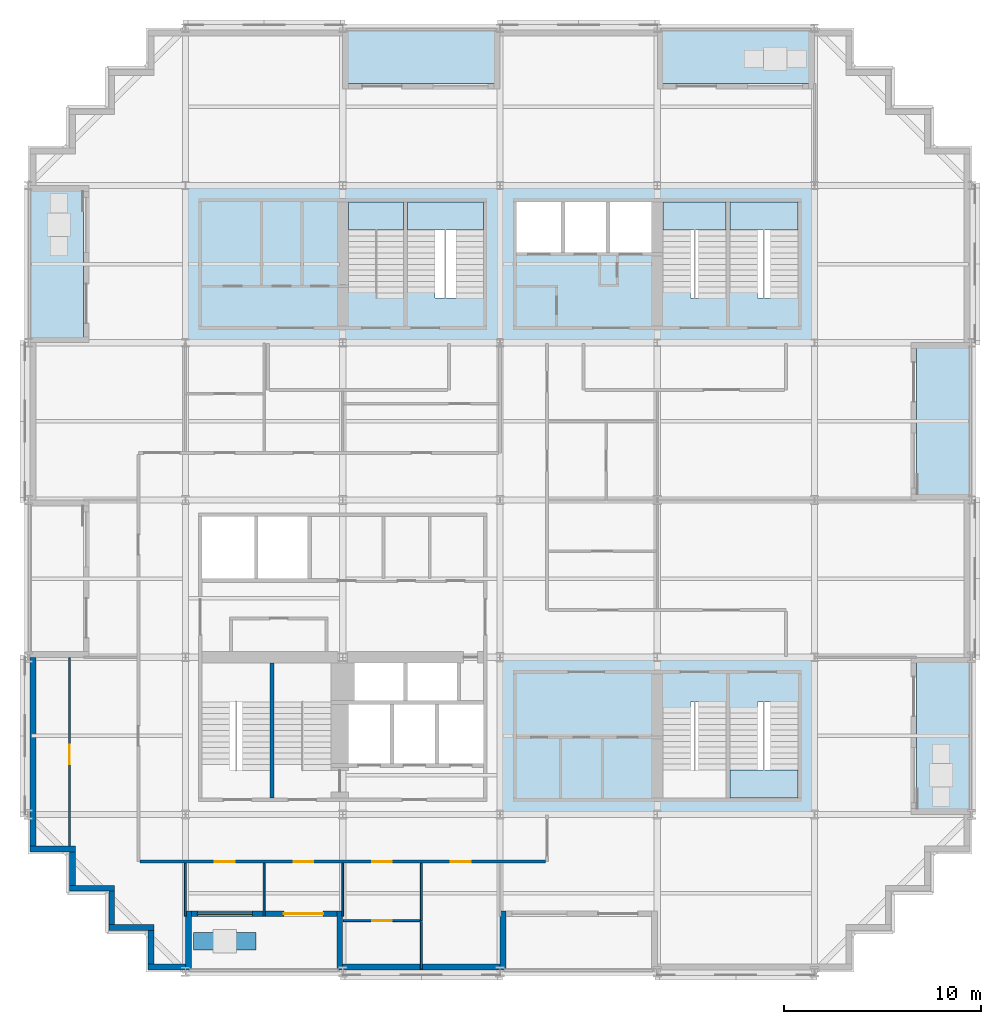
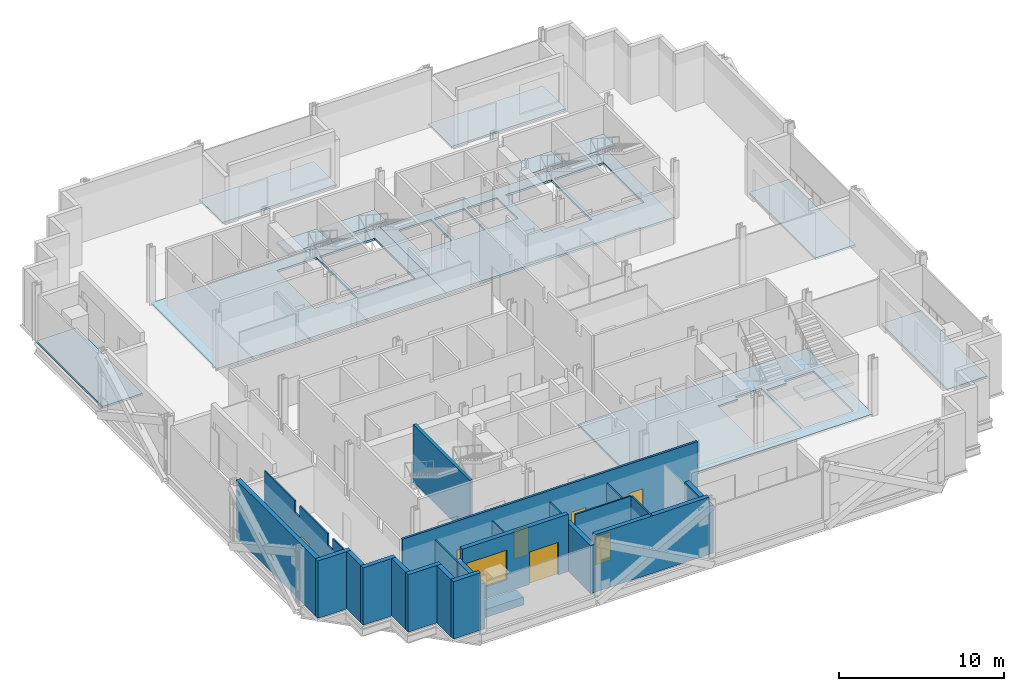
# One storey, part 4 of 13: 23 walls, 13 slabs, 7 doors, 1 window, 8 openings, 5 elements without a shape of their own.
"""IFC4 building model written with IfcOpenShell, lengths in metres."""

from ifc_helpers import new_model, si_unit, direction, frame, frame_2d, origin, place, context, subcontext, project, spatial, polyline, rectangle, outline, extrude, material, layer, layer_set, type_object, element, fill, aggregate, save


model = new_model("IFC4")

# Units and contexts
model_context = context("Model", 3, precision=1e-05, world=origin(), true_north=direction((0.0, 1.0)))
body_context = subcontext(model_context, "Body", "Model", "MODEL_VIEW")
ifc_project = project(units=[si_unit("LENGTHUNIT", "METRE"), si_unit("AREAUNIT", "SQUARE_METRE"), si_unit("VOLUMEUNIT", "CUBIC_METRE"), si_unit("PLANEANGLEUNIT", "RADIAN"), si_unit("MASSUNIT", "GRAM", prefix="KILO")], contexts=[model_context])

# Site, building, storey
site_placement = place(None, origin())
site = spatial("IfcSite", under=ifc_project, at=site_placement, CompositionType="ELEMENT")
building_placement = place(site_placement, origin())
building = spatial("IfcBuilding", under=site, at=building_placement, Name="Immortelle Media Tower", CompositionType="ELEMENT")
storey_placement = place(building_placement, frame((0.0, 0.0, 34.800048828125)))
storey = spatial("IfcBuildingStorey", under=building, at=storey_placement, Name="L04", CompositionType="ELEMENT", Elevation=34.800048828125)

# Slabs
ifc_material_1 = material(Name="Concrete C50/60 composite deck", Category="concrete")
ifc_layer_1 = layer(ifc_material_1, 0.14990234375)
ifc_layer_set_1 = layer_set([ifc_layer_1], Name="Concrete C50/60 composite deck")
slab_type_1 = type_object("IfcSlabType", Name="Balcony slab 150", PredefinedType="FLOOR", material=ifc_layer_set_1)
slab_1_placement = place(storey_placement, frame((0.0, 0.0, -0.150146484375)))
element("IfcSlab", 1, at=slab_1_placement, inside=storey, type_object=slab_type_1, Name="Balcony slab L04 W0", PredefinedType="FLOOR", context=body_context, shape_type="SweptSolid", body=[
    extrude(outline(polyline([(2.800048828125, 32.0), (2.800048828125, 40.0), (0.0, 40.0), (0.0, 32.0), (2.800048828125, 32.0)])), origin(), (0.0, 0.0, 1.0), 0.150146484375),
])
slab_2_placement = place(storey_placement, frame((0.0, 0.0, -0.150146484375)))
element("IfcSlab", 2, at=slab_2_placement, inside=storey, type_object=slab_type_1, Name="Balcony slab L04 E0", PredefinedType="FLOOR", context=body_context, shape_type="SweptSolid", body=[
    extrude(outline(polyline([(48.0, 8.0), (48.0, 16.0), (45.199951171875, 16.0), (45.199951171875, 8.0), (48.0, 8.0)])), origin(), (0.0, 0.0, 1.0), 0.150146484375),
])
slab_3_placement = place(storey_placement, frame((0.0, 0.0, -0.150146484375)))
element("IfcSlab", 3, at=slab_3_placement, inside=storey, type_object=slab_type_1, Name="Balcony slab L04 E2", PredefinedType="FLOOR", context=body_context, shape_type="SweptSolid", body=[
    extrude(outline(polyline([(48.0, 24.0), (48.0, 32.0), (45.199951171875, 32.0), (45.199951171875, 24.0), (48.0, 24.0)])), origin(), (0.0, 0.0, 1.0), 0.150146484375),
])
slab_4_placement = place(storey_placement, frame((0.0, 0.0, -0.150146484375)))
element("IfcSlab", 4, at=slab_4_placement, inside=storey, type_object=slab_type_1, Name="Balcony slab L04 N0", PredefinedType="FLOOR", context=body_context, shape_type="SweptSolid", body=[
    extrude(outline(polyline([(40.0, 45.199951171875), (40.0, 48.0), (32.0, 48.0), (32.0, 45.199951171875), (40.0, 45.199951171875)])), origin(), (0.0, 0.0, 1.0), 0.150146484375),
])
slab_5_placement = place(storey_placement, frame((0.0, 0.0, -0.150146484375)))
element("IfcSlab", 5, at=slab_5_placement, inside=storey, type_object=slab_type_1, Name="Balcony slab L04 N2", PredefinedType="FLOOR", context=body_context, shape_type="SweptSolid", body=[
    extrude(outline(polyline([(24.0, 45.199951171875), (24.0, 48.0), (16.0, 48.0), (16.0, 45.199951171875), (24.0, 45.199951171875)])), origin(), (0.0, 0.0, 1.0), 0.150146484375),
])
ifc_material_2 = material(Name="Concrete C50/60", Category="concrete")
ifc_layer_2 = layer(ifc_material_2, 0.14990234375)
ifc_layer_set_2 = layer_set([ifc_layer_2], Name="Concrete C50/60")
slab_type_2 = type_object("IfcSlabType", Name="Core floor slab 150", PredefinedType="FLOOR", material=ifc_layer_set_2)
slab_6_placement = place(storey_placement, frame((0.0, 0.0, -0.150146484375)))
element("IfcSlab", 6, at=slab_6_placement, inside=storey, type_object=slab_type_2, Name="Core floor SE", PredefinedType="FLOOR", context=body_context, shape_type="SweptSolid", body=[
    extrude(outline(polyline([(24.0, 8.0), (40.0, 8.0), (40.0, 16.0), (24.0, 16.0), (24.0, 8.0)]), holes=[polyline([(35.5, 13.72998046875), (35.5, 8.85009765625), (32.300048828125, 8.85009765625), (32.300048828125, 13.43994140625), (33.699951171875, 13.43994140625), (33.699951171875, 13.72998046875), (35.5, 13.72998046875)]), polyline([(39.14990234375, 13.72998046875), (39.14990234375, 8.85009765625), (35.699951171875, 8.85009765625), (35.699951171875, 13.43994140625), (37.10009765625, 13.43994140625), (37.10009765625, 13.72998046875), (39.14990234375, 13.72998046875)])]), origin(), (0.0, 0.0, 1.0), 0.150146484375),
])
slab_7_placement = place(storey_placement, frame((0.0, 0.0, -0.150146484375)))
element("IfcSlab", 7, at=slab_7_placement, inside=storey, type_object=slab_type_2, Name="Core floor NW", PredefinedType="FLOOR", context=body_context, shape_type="SweptSolid", body=[
    extrude(outline(polyline([(8.0, 32.0), (24.0, 32.0), (24.0, 40.0), (8.0, 40.0), (8.0, 32.0)]), holes=[polyline([(16.300048828125, 39.14990234375), (19.10009765625, 39.14990234375), (19.10009765625, 34.27001953125), (17.699951171875, 34.27001953125), (17.699951171875, 34.56005859375), (16.300048828125, 34.56005859375), (16.300048828125, 39.14990234375)]), polyline([(19.300048828125, 39.14990234375), (23.14990234375, 39.14990234375), (23.14990234375, 34.27001953125), (20.699951171875, 34.27001953125), (20.699951171875, 34.56005859375), (19.300048828125, 34.56005859375), (19.300048828125, 39.14990234375)])]), origin(), (0.0, 0.0, 1.0), 0.150146484375),
])
slab_8_placement = place(storey_placement, frame((0.0, 0.0, -0.150146484375)))
element("IfcSlab", 8, at=slab_8_placement, inside=storey, type_object=slab_type_2, Name="Core floor NE", PredefinedType="FLOOR", context=body_context, shape_type="SweptSolid", body=[
    extrude(outline(polyline([(24.0, 32.0), (40.0, 32.0), (40.0, 40.0), (24.0, 40.0), (24.0, 32.0)]), holes=[polyline([(24.85009765625, 36.60009765625), (27.10009765625, 36.60009765625), (27.10009765625, 39.14990234375), (24.85009765625, 39.14990234375), (24.85009765625, 36.60009765625)]), polyline([(27.300048828125, 36.60009765625), (29.39990234375, 36.60009765625), (29.39990234375, 39.14990234375), (27.300048828125, 39.14990234375), (27.300048828125, 36.60009765625)]), polyline([(29.60009765625, 36.60009765625), (31.699951171875, 36.60009765625), (31.699951171875, 39.14990234375), (29.60009765625, 39.14990234375), (29.60009765625, 36.60009765625)]), polyline([(32.300048828125, 39.14990234375), (35.5, 39.14990234375), (35.5, 34.27001953125), (33.699951171875, 34.27001953125), (33.699951171875, 34.56005859375), (32.300048828125, 34.56005859375), (32.300048828125, 39.14990234375)]), polyline([(35.699951171875, 39.14990234375), (39.14990234375, 39.14990234375), (39.14990234375, 34.27001953125), (37.10009765625, 34.27001953125), (37.10009765625, 34.56005859375), (35.699951171875, 34.56005859375), (35.699951171875, 39.14990234375)])]), origin(), (0.0, 0.0, 1.0), 0.150146484375),
])

# Stair, slab
ifc_material_3 = material(Name="Steel ASTM A992 Gr 50", Category="steel")
stair_type = type_object("IfcStairType", Name="Stair with flights", PredefinedType="DOUBLE_RETURN_STAIR", material=ifc_material_3)
stair_1_placement = place(storey_placement, origin())
stair_1 = element("IfcStair", 9, at=stair_1_placement, inside=storey, type_object=stair_type, Name="Exit stair SE2", PredefinedType="DOUBLE_RETURN_STAIR")
ifc_material_4 = material(Name="Steel ASTM A572 Gr 50", Category="steel")
ifc_layer_3 = layer(ifc_material_4, 0.199951171875)
ifc_layer_set_3 = layer_set([ifc_layer_3], Name="Steel ASTM A572 Gr 50")
slab_type_3 = type_object("IfcSlabType", Name="Stair landing 200", PredefinedType="LANDING", material=ifc_layer_set_3)
slab_9_placement = place(storey_placement, frame((0.0, 0.0, 1.911865234375)))
slab_9 = element("IfcSlab", 10, at=slab_9_placement, type_object=slab_type_3, Name="ST SE2 landing 1", PredefinedType="LANDING", context=body_context, shape_type="SweptSolid", body=[
    extrude(outline(polyline([(35.699951171875, 8.85009765625), (39.14990234375, 8.85009765625), (39.14990234375, 10.27001953125), (35.699951171875, 10.27001953125), (35.699951171875, 8.85009765625)])), origin(), (0.0, 0.0, 1.0), 0.2001953125),
])
aggregate(stair_1, [slab_9])

stair_2_placement = place(storey_placement, origin())
stair_2 = element("IfcStair", 11, at=stair_2_placement, inside=storey, type_object=stair_type, Name="Exit stair NW1", PredefinedType="DOUBLE_RETURN_STAIR")
slab_10_placement = place(storey_placement, frame((0.0, 0.0, 1.911865234375)))
slab_10 = element("IfcSlab", 12, at=slab_10_placement, type_object=slab_type_3, Name="ST NW1 landing 1", PredefinedType="LANDING", context=body_context, shape_type="SweptSolid", body=[
    extrude(outline(polyline([(16.300048828125, 37.72998046875), (19.10009765625, 37.72998046875), (19.10009765625, 39.14990234375), (16.300048828125, 39.14990234375), (16.300048828125, 37.72998046875)])), origin(), (0.0, 0.0, 1.0), 0.2001953125),
])
aggregate(stair_2, [slab_10])

stair_3_placement = place(storey_placement, origin())
stair_3 = element("IfcStair", 13, at=stair_3_placement, inside=storey, type_object=stair_type, Name="Exit stair NW2", PredefinedType="DOUBLE_RETURN_STAIR")
slab_11_placement = place(storey_placement, frame((0.0, 0.0, 1.911865234375)))
slab_11 = element("IfcSlab", 14, at=slab_11_placement, type_object=slab_type_3, Name="ST NW2 landing 1", PredefinedType="LANDING", context=body_context, shape_type="SweptSolid", body=[
    extrude(outline(polyline([(19.300048828125, 37.72998046875), (23.14990234375, 37.72998046875), (23.14990234375, 39.14990234375), (19.300048828125, 39.14990234375), (19.300048828125, 37.72998046875)])), origin(), (0.0, 0.0, 1.0), 0.2001953125),
])
aggregate(stair_3, [slab_11])

stair_4_placement = place(storey_placement, origin())
stair_4 = element("IfcStair", 15, at=stair_4_placement, inside=storey, type_object=stair_type, Name="Exit stair NE1", PredefinedType="DOUBLE_RETURN_STAIR")
slab_12_placement = place(storey_placement, frame((0.0, 0.0, 1.911865234375)))
slab_12 = element("IfcSlab", 16, at=slab_12_placement, type_object=slab_type_3, Name="ST NE1 landing 1", PredefinedType="LANDING", context=body_context, shape_type="SweptSolid", body=[
    extrude(outline(polyline([(32.300048828125, 37.72998046875), (35.5, 37.72998046875), (35.5, 39.14990234375), (32.300048828125, 39.14990234375), (32.300048828125, 37.72998046875)])), origin(), (0.0, 0.0, 1.0), 0.2001953125),
])
aggregate(stair_4, [slab_12])

stair_5_placement = place(storey_placement, origin())
stair_5 = element("IfcStair", 17, at=stair_5_placement, inside=storey, type_object=stair_type, Name="Exit stair NE2", PredefinedType="DOUBLE_RETURN_STAIR")
slab_13_placement = place(storey_placement, frame((0.0, 0.0, 1.911865234375)))
slab_13 = element("IfcSlab", 18, at=slab_13_placement, type_object=slab_type_3, Name="ST NE2 landing 1", PredefinedType="LANDING", context=body_context, shape_type="SweptSolid", body=[
    extrude(outline(polyline([(35.699951171875, 37.72998046875), (39.14990234375, 37.72998046875), (39.14990234375, 39.14990234375), (35.699951171875, 39.14990234375), (35.699951171875, 37.72998046875)])), origin(), (0.0, 0.0, 1.0), 0.2001953125),
])
aggregate(stair_5, [slab_13])

# Wall, openings, doors
ifc_material_5 = material(Name="Fire-rated gypsum board", Category="gypsum")
ifc_layer_4 = layer(ifc_material_5, 0.012451171875)
ifc_material_6 = material(Name="Steel ASTM A653 SS Gr 50 stud frame with mineral wool", Category="steel")
ifc_layer_5 = layer(ifc_material_6, 0.125)
ifc_layer_6 = layer(ifc_material_5, 0.012451171875)
ifc_layer_set_4 = layer_set([ifc_layer_4, ifc_layer_5, ifc_layer_6], Name="Steel ASTM A653 SS Gr 50 stud frame with mineral wool")
wall_type_1 = type_object("IfcWallType", Name="Corridor wall 150", PredefinedType="PARTITIONING", material=ifc_layer_set_4)
wall_1_placement = place(storey_placement, frame((5.675048828125, 5.60009765625, 0.0), z_axis=(0.0, 0.0, 1.0), x_axis=(1.0, 0.0, 0.0)))
wall_1 = element("IfcWall", 19, at=wall_1_placement, inside=storey, type_object=wall_type_1, Name="Partition L04-008", PredefinedType="PARTITIONING", context=body_context, shape_type="SweptSolid", body=[
    extrude(rectangle(XDim=20.64990234375, YDim=0.14990234375, at=frame_2d((10.324951171875, 0.0))), origin(), (0.0, 0.0, 1.0), 4.25),
])
opening_1_placement = place(wall_1_placement, frame((12.824951171875, 0.0, 0.0), z_axis=(0.0, 0.0, 1.0), x_axis=(-1.0, 0.0, 0.0)))
opening_1 = element("IfcOpeningElement", 20, at=opening_1_placement, cuts=wall_1, Name="Opening N1-F001", PredefinedType="OPENING", context=body_context, shape_type="SweptSolid", body=[
    extrude(rectangle(XDim=1.0, YDim=2.10009765625, at=frame_2d((0.5, 1.050048828125))), frame((0.0, 0.0849609375, 0.0), z_axis=(0.0, -1.0, 0.0), x_axis=(1.0, 0.0, 0.0)), (0.0, 0.0, 1.0), 0.169921875),
])
opening_2_placement = place(wall_1_placement, frame((16.824951171875, 0.0, 0.0), z_axis=(0.0, 0.0, 1.0), x_axis=(-1.0, 0.0, 0.0)))
opening_2 = element("IfcOpeningElement", 21, at=opening_2_placement, cuts=wall_1, Name="Opening N1-F003", PredefinedType="OPENING", context=body_context, shape_type="SweptSolid", body=[
    extrude(rectangle(XDim=1.0, YDim=2.10009765625, at=frame_2d((0.5, 1.050048828125))), frame((0.0, 0.0849609375, 0.0), z_axis=(0.0, -1.0, 0.0), x_axis=(1.0, 0.0, 0.0)), (0.0, 0.0, 1.0), 0.169921875),
])
opening_3_placement = place(wall_1_placement, frame((4.824951171875, 0.0, 0.0), z_axis=(0.0, 0.0, 1.0), x_axis=(-1.0, 0.0, 0.0)))
opening_3 = element("IfcOpeningElement", 22, at=opening_3_placement, cuts=wall_1, Name="Opening N1-F004", PredefinedType="OPENING", context=body_context, shape_type="SweptSolid", body=[
    extrude(rectangle(XDim=1.0, YDim=2.10009765625, at=frame_2d((0.5, 1.050048828125))), frame((0.0, 0.0849609375, 0.0), z_axis=(0.0, -1.0, 0.0), x_axis=(1.0, 0.0, 0.0)), (0.0, 0.0, 1.0), 0.169921875),
])
opening_4_placement = place(wall_1_placement, frame((8.824951171875, 0.0, 0.0), z_axis=(0.0, 0.0, 1.0), x_axis=(-1.0, 0.0, 0.0)))
opening_4 = element("IfcOpeningElement", 23, at=opening_4_placement, cuts=wall_1, Name="Opening N1-F005", PredefinedType="OPENING", context=body_context, shape_type="SweptSolid", body=[
    extrude(rectangle(XDim=1.0, YDim=2.10009765625, at=frame_2d((0.5, 1.050048828125))), frame((0.0, 0.0849609375, 0.0), z_axis=(0.0, -1.0, 0.0), x_axis=(1.0, 0.0, 0.0)), (0.0, 0.0, 1.0), 0.169921875),
])
ifc_material_7 = material(Name="Timber veneered door leaf, galvanised steel frame ASTM A653", Category="steel")
door_type_1 = type_object("IfcDoorType", Name="Room door 1000 x 2100", OperationType="NOTDEFINED", PredefinedType="DOOR", material=ifc_material_7)
door_1_placement = place(opening_1_placement, origin())
door_1 = element("IfcDoor", 24, at=door_1_placement, inside=storey, type_object=door_type_1, Name="Door N1-F001", OperationType="SINGLE_SWING_LEFT", OverallHeight=2.10009765625, OverallWidth=1.0, PredefinedType="DOOR", context=body_context, shape_type="SweptSolid", body=[
    extrude(rectangle(XDim=1.0, YDim=2.10009765625, at=frame_2d((0.5, 1.050048828125))), frame((0.0, 0.02490234375, 0.0), z_axis=(0.0, -1.0, 0.0), x_axis=(1.0, 0.0, 0.0)), (0.0, 0.0, 1.0), 0.050048828125),
])
fill(opening_1, door_1)
door_2_placement = place(opening_2_placement, origin())
door_2 = element("IfcDoor", 25, at=door_2_placement, inside=storey, type_object=door_type_1, Name="Door N1-F003", OperationType="SINGLE_SWING_RIGHT", OverallHeight=2.10009765625, OverallWidth=1.0, PredefinedType="DOOR", context=body_context, shape_type="SweptSolid", body=[
    extrude(rectangle(XDim=1.0, YDim=2.10009765625, at=frame_2d((0.5, 1.050048828125))), frame((0.0, 0.02490234375, 0.0), z_axis=(0.0, -1.0, 0.0), x_axis=(1.0, 0.0, 0.0)), (0.0, 0.0, 1.0), 0.050048828125),
])
fill(opening_2, door_2)
door_3_placement = place(opening_3_placement, origin())
door_3 = element("IfcDoor", 26, at=door_3_placement, inside=storey, type_object=door_type_1, Name="Door N1-F004", OperationType="SINGLE_SWING_RIGHT", OverallHeight=2.10009765625, OverallWidth=1.0, PredefinedType="DOOR", context=body_context, shape_type="SweptSolid", body=[
    extrude(rectangle(XDim=1.0, YDim=2.10009765625, at=frame_2d((0.5, 1.050048828125))), frame((0.0, 0.02490234375, 0.0), z_axis=(0.0, -1.0, 0.0), x_axis=(1.0, 0.0, 0.0)), (0.0, 0.0, 1.0), 0.050048828125),
])
fill(opening_3, door_3)
door_4_placement = place(opening_4_placement, origin())
door_4 = element("IfcDoor", 27, at=door_4_placement, inside=storey, type_object=door_type_1, Name="Door N1-F005", OperationType="SINGLE_SWING_LEFT", OverallHeight=2.10009765625, OverallWidth=1.0, PredefinedType="DOOR", context=body_context, shape_type="SweptSolid", body=[
    extrude(rectangle(XDim=1.0, YDim=2.10009765625, at=frame_2d((0.5, 1.050048828125))), frame((0.0, 0.02490234375, 0.0), z_axis=(0.0, -1.0, 0.0), x_axis=(1.0, 0.0, 0.0)), (0.0, 0.0, 1.0), 0.050048828125),
])
fill(opening_4, door_4)

# Walls
ifc_material_8 = material(Name="Pale aluminium cladding panel", Category="aluminium")
ifc_layer_7 = layer(ifc_material_8, 0.030029296875)
ifc_layer_8 = layer(ifc_material_6, 0.257568359375)
ifc_material_9 = material(Name="Moisture-resistant gypsum board", Category="gypsum")
ifc_layer_9 = layer(ifc_material_9, 0.012451171875)
ifc_layer_set_5 = layer_set([ifc_layer_7, ifc_layer_8, ifc_layer_9], Name="Steel ASTM A653 SS Gr 50 stud frame with mineral wool")
wall_type_2 = type_object("IfcWallType", Name="Facade wall 300", PredefinedType="SOLIDWALL", material=ifc_layer_set_5)
wall_2_placement = place(storey_placement, frame((0.25, 16.0, 0.0), z_axis=(0.0, 0.0, 1.0), x_axis=(0.0, -1.0, 0.0)))
element("IfcWall", 28, at=wall_2_placement, inside=storey, type_object=wall_type_2, Name="Facade wall L04 W0", PredefinedType="SOLIDWALL", context=body_context, shape_type="SweptSolid", body=[
    extrude(rectangle(XDim=9.60009765625, YDim=0.300048828125, at=frame_2d((4.800048828125, 0.0))), origin(), (0.0, 0.0, 1.0), 4.25),
])
wall_3_placement = place(storey_placement, frame((0.10009765625, 6.25, 0.0), z_axis=(0.0, 0.0, 1.0), x_axis=(1.0, 0.0, 0.0)))
element("IfcWall", 29, at=wall_3_placement, inside=storey, type_object=wall_type_2, Name="Facade wall L04 S1", PredefinedType="SOLIDWALL", context=body_context, shape_type="SweptSolid", body=[
    extrude(rectangle(XDim=2.2998046875, YDim=0.300048828125, at=frame_2d((1.14990234375, 0.0))), origin(), (0.0, 0.0, 1.0), 4.25),
])
wall_4_placement = place(storey_placement, frame((2.25, 6.10009765625, 0.0), z_axis=(0.0, 0.0, 1.0), x_axis=(0.0, -1.0, 0.0)))
element("IfcWall", 30, at=wall_4_placement, inside=storey, type_object=wall_type_2, Name="Facade wall L04 W2", PredefinedType="SOLIDWALL", context=body_context, shape_type="SweptSolid", body=[
    extrude(rectangle(XDim=1.7001953125, YDim=0.300048828125, at=frame_2d((0.85009765625, 0.0))), origin(), (0.0, 0.0, 1.0), 4.25),
])
wall_5_placement = place(storey_placement, frame((2.10009765625, 4.25, 0.0), z_axis=(0.0, 0.0, 1.0), x_axis=(1.0, 0.0, 0.0)))
element("IfcWall", 31, at=wall_5_placement, inside=storey, type_object=wall_type_2, Name="Facade wall L04 S3", PredefinedType="SOLIDWALL", context=body_context, shape_type="SweptSolid", body=[
    extrude(rectangle(XDim=2.2998046875, YDim=0.300048828125, at=frame_2d((1.14990234375, 0.0))), origin(), (0.0, 0.0, 1.0), 4.25),
])
wall_6_placement = place(storey_placement, frame((4.25, 4.10009765625, 0.0), z_axis=(0.0, 0.0, 1.0), x_axis=(0.0, -1.0, 0.0)))
element("IfcWall", 32, at=wall_6_placement, inside=storey, type_object=wall_type_2, Name="Facade wall L04 W4", PredefinedType="SOLIDWALL", context=body_context, shape_type="SweptSolid", body=[
    extrude(rectangle(XDim=1.7001953125, YDim=0.300048828125, at=frame_2d((0.85009765625, 0.0))), origin(), (0.0, 0.0, 1.0), 4.25),
])
wall_7_placement = place(storey_placement, frame((4.10009765625, 2.25, 0.0), z_axis=(0.0, 0.0, 1.0), x_axis=(1.0, 0.0, 0.0)))
element("IfcWall", 33, at=wall_7_placement, inside=storey, type_object=wall_type_2, Name="Facade wall L04 S5", PredefinedType="SOLIDWALL", context=body_context, shape_type="SweptSolid", body=[
    extrude(rectangle(XDim=2.2998046875, YDim=0.300048828125, at=frame_2d((1.14990234375, 0.0))), origin(), (0.0, 0.0, 1.0), 4.25),
])
wall_8_placement = place(storey_placement, frame((6.25, 2.10009765625, 0.0), z_axis=(0.0, 0.0, 1.0), x_axis=(0.0, -1.0, 0.0)))
element("IfcWall", 34, at=wall_8_placement, inside=storey, type_object=wall_type_2, Name="Facade wall L04 W6", PredefinedType="SOLIDWALL", context=body_context, shape_type="SweptSolid", body=[
    extrude(rectangle(XDim=1.7001953125, YDim=0.300048828125, at=frame_2d((0.85009765625, 0.0))), origin(), (0.0, 0.0, 1.0), 4.25),
])
wall_9_placement = place(storey_placement, frame((6.10009765625, 0.25, 0.0), z_axis=(0.0, 0.0, 1.0), x_axis=(1.0, 0.0, 0.0)))
element("IfcWall", 35, at=wall_9_placement, inside=storey, type_object=wall_type_2, Name="Facade wall L04 S7", PredefinedType="SOLIDWALL", context=body_context, shape_type="SweptSolid", body=[
    extrude(rectangle(XDim=1.89990234375, YDim=0.300048828125, at=frame_2d((0.949951171875, 0.0))), origin(), (0.0, 0.0, 1.0), 4.25),
])

# Wall, openings, door, window
wall_10_placement = place(storey_placement, frame((8.300048828125, 2.949951171875, 0.0), z_axis=(0.0, 0.0, 1.0), x_axis=(1.0, 0.0, 0.0)))
wall_10 = element("IfcWall", 36, at=wall_10_placement, inside=storey, type_object=wall_type_2, Name="Loggia wall L04 S7", PredefinedType="SOLIDWALL", context=body_context, shape_type="SweptSolid", body=[
    extrude(rectangle(XDim=7.39990234375, YDim=0.300048828125, at=frame_2d((3.699951171875, 0.0))), origin(), (0.0, 0.0, 1.0), 4.25),
])
opening_5_placement = place(wall_10_placement, frame((0.300048828125, 0.0, 0.89990234375)))
opening_5 = element("IfcOpeningElement", 37, at=opening_5_placement, cuts=wall_10, Name="Opening W1", PredefinedType="OPENING", context=body_context, shape_type="SweptSolid", body=[
    extrude(rectangle(XDim=2.800048828125, YDim=2.199951171875, at=frame_2d((1.39990234375, 1.10009765625))), frame((0.0, 0.159912109375, 0.0), z_axis=(0.0, -1.0, 0.0), x_axis=(1.0, 0.0, 0.0)), (0.0, 0.0, 1.0), 0.320068359375),
])
opening_6_placement = place(wall_10_placement, frame((4.699951171875, 0.0, 0.0)))
opening_6 = element("IfcOpeningElement", 38, at=opening_6_placement, cuts=wall_10, Name="Opening N1-E003", PredefinedType="OPENING", context=body_context, shape_type="SweptSolid", body=[
    extrude(rectangle(XDim=2.0, YDim=2.39990234375, at=frame_2d((1.0, 1.199951171875))), frame((0.0, 0.159912109375, 0.0), z_axis=(0.0, -1.0, 0.0), x_axis=(1.0, 0.0, 0.0)), (0.0, 0.0, 1.0), 0.320068359375),
])
ifc_material_10 = material(Name="Aluminium frame, glazed leaves", Category="aluminium")
door_type_2 = type_object("IfcDoorType", Name="Loggia door 2000 x 2400", OperationType="DOUBLE_DOOR_SINGLE_SWING", PredefinedType="DOOR", material=ifc_material_10)
door_5_placement = place(opening_6_placement, origin())
door_5 = element("IfcDoor", 39, at=door_5_placement, inside=storey, type_object=door_type_2, Name="Door N1-E003", OperationType="DOUBLE_DOOR_SINGLE_SWING", OverallHeight=2.39990234375, OverallWidth=2.0, PredefinedType="DOOR", context=body_context, shape_type="SweptSolid", body=[
    extrude(rectangle(XDim=2.0, YDim=2.39990234375, at=frame_2d((1.0, 1.199951171875))), frame((0.0, 0.02490234375, 0.0), z_axis=(0.0, -1.0, 0.0), x_axis=(1.0, 0.0, 0.0)), (0.0, 0.0, 1.0), 0.050048828125),
])
fill(opening_6, door_5)
ifc_material_11 = material(Name="Aluminium frame", Category="aluminium")
window_type = type_object("IfcWindowType", Name="Window 2800 x 2200", PartitioningType="SINGLE_PANEL", PredefinedType="WINDOW", material=ifc_material_11)
window_placement = place(opening_5_placement, origin())
window = element("IfcWindow", 40, at=window_placement, inside=storey, type_object=window_type, Name="Window L04 L04-R7-B0", OverallHeight=2.199951171875, OverallWidth=2.800048828125, PartitioningType="SINGLE_PANEL", PredefinedType="WINDOW", context=body_context, shape_type="SweptSolid", body=[
    extrude(rectangle(XDim=2.800048828125, YDim=2.199951171875, at=frame_2d((1.39990234375, 1.10009765625))), frame((0.0, 0.030029296875, 0.0), z_axis=(0.0, -1.0, 0.0), x_axis=(1.0, 0.0, 0.0)), (0.0, 0.0, 1.0), 0.06005859375),
])
fill(opening_5, window)

# Walls
wall_11_placement = place(storey_placement, frame((8.14990234375, 0.10009765625, 0.0), z_axis=(0.0, 0.0, 1.0), x_axis=(0.0, 1.0, 0.0)))
element("IfcWall", 41, at=wall_11_placement, inside=storey, type_object=wall_type_2, Name="Loggia cheek wall L04 S", PredefinedType="SOLIDWALL", context=body_context, shape_type="SweptSolid", body=[
    extrude(rectangle(XDim=3.0, YDim=0.300048828125, at=frame_2d((1.5, 0.0))), origin(), (0.0, 0.0, 1.0), 3.389892578125),
])
wall_12_placement = place(storey_placement, frame((15.85009765625, 0.10009765625, 0.0), z_axis=(0.0, 0.0, 1.0), x_axis=(0.0, 1.0, 0.0)))
element("IfcWall", 42, at=wall_12_placement, inside=storey, type_object=wall_type_2, Name="Loggia cheek wall L04 S", PredefinedType="SOLIDWALL", context=body_context, shape_type="SweptSolid", body=[
    extrude(rectangle(XDim=3.0, YDim=0.300048828125, at=frame_2d((1.5, 0.0))), origin(), (0.0, 0.0, 1.0), 3.552978515625),
])
wall_13_placement = place(storey_placement, frame((16.0, 0.25, 0.0), z_axis=(0.0, 0.0, 1.0), x_axis=(1.0, 0.0, 0.0)))
element("IfcWall", 43, at=wall_13_placement, inside=storey, type_object=wall_type_2, Name="Facade wall L04 S7", PredefinedType="SOLIDWALL", context=body_context, shape_type="SweptSolid", body=[
    extrude(rectangle(XDim=8.0, YDim=0.300048828125, at=frame_2d((4.0, 0.0))), origin(), (0.0, 0.0, 1.0), 4.25),
])
wall_14_placement = place(storey_placement, frame((24.14990234375, 0.10009765625, 0.0), z_axis=(0.0, 0.0, 1.0), x_axis=(0.0, 1.0, 0.0)))
element("IfcWall", 44, at=wall_14_placement, inside=storey, type_object=wall_type_2, Name="Loggia cheek wall L04 S", PredefinedType="SOLIDWALL", context=body_context, shape_type="SweptSolid", body=[
    extrude(rectangle(XDim=3.0, YDim=0.300048828125, at=frame_2d((1.5, 0.0))), origin(), (0.0, 0.0, 1.0), 3.552978515625),
])
ifc_material_12 = material(Name="Gypsum board", Category="gypsum")
ifc_layer_10 = layer(ifc_material_12, 0.012451171875)
ifc_layer_11 = layer(ifc_material_6, 0.074951171875)
ifc_layer_12 = layer(ifc_material_12, 0.012451171875)
ifc_layer_set_6 = layer_set([ifc_layer_10, ifc_layer_11, ifc_layer_12], Name="Steel ASTM A653 SS Gr 50 stud frame with mineral wool")
wall_type_3 = type_object("IfcWallType", Name="Partition 100", PredefinedType="PARTITIONING", material=ifc_layer_set_6)
wall_15_placement = place(storey_placement, frame((20.0, 0.1298828125, 0.0), z_axis=(0.0, 0.0, 1.0), x_axis=(0.0, 1.0, 0.0)))
element("IfcWall", 45, at=wall_15_placement, inside=storey, type_object=wall_type_3, Name="Partition L04-001", PredefinedType="PARTITIONING", context=body_context, shape_type="SweptSolid", body=[
    extrude(rectangle(XDim=2.420166015625, YDim=0.10009765625, at=frame_2d((1.2099609375, 0.0))), origin(), (0.0, 0.0, 1.0), 4.25),
])

# Wall, opening, door
wall_16_placement = place(storey_placement, frame((16.030029296875, 2.60009765625, 0.0), z_axis=(0.0, 0.0, 1.0), x_axis=(1.0, 0.0, 0.0)))
wall_16 = element("IfcWall", 46, at=wall_16_placement, inside=storey, type_object=wall_type_3, Name="Partition L04-002", PredefinedType="PARTITIONING", context=body_context, shape_type="SweptSolid", body=[
    extrude(rectangle(XDim=3.919921875, YDim=0.10009765625, at=frame_2d((1.9599609375, 0.0))), origin(), (0.0, 0.0, 1.0), 4.25),
])
opening_7_placement = place(wall_16_placement, frame((1.469970703125, 0.0, 0.0)))
opening_7 = element("IfcOpeningElement", 47, at=opening_7_placement, cuts=wall_16, Name="Opening N1-F002", PredefinedType="OPENING", context=body_context, shape_type="SweptSolid", body=[
    extrude(rectangle(XDim=1.0, YDim=2.10009765625, at=frame_2d((0.5, 1.050048828125))), frame((0.0, 0.06005859375, 0.0), z_axis=(0.0, -1.0, 0.0), x_axis=(1.0, 0.0, 0.0)), (0.0, 0.0, 1.0), 0.1201171875),
])
door_6_placement = place(opening_7_placement, origin())
door_6 = element("IfcDoor", 48, at=door_6_placement, inside=storey, type_object=door_type_1, Name="Door N1-F002", OperationType="SINGLE_SWING_RIGHT", OverallHeight=2.10009765625, OverallWidth=1.0, PredefinedType="DOOR", context=body_context, shape_type="SweptSolid", body=[
    extrude(rectangle(XDim=1.0, YDim=2.10009765625, at=frame_2d((0.5, 1.050048828125))), frame((0.0, 0.02490234375, 0.0), z_axis=(0.0, -1.0, 0.0), x_axis=(1.0, 0.0, 0.0)), (0.0, 0.0, 1.0), 0.050048828125),
])
fill(opening_7, door_6)

# Walls
wall_17_placement = place(storey_placement, frame((20.0, 2.60009765625, 0.0), z_axis=(0.0, 0.0, 1.0), x_axis=(0.0, 1.0, 0.0)))
element("IfcWall", 49, at=wall_17_placement, inside=storey, type_object=wall_type_3, Name="Partition L04-003", PredefinedType="PARTITIONING", context=body_context, shape_type="SweptSolid", body=[
    extrude(rectangle(XDim=2.9248046875, YDim=0.10009765625, at=frame_2d((1.46240234375, 0.0))), origin(), (0.0, 0.0, 1.0), 3.390869140625),
])
for number, where, z_axis, x_axis, name in (
    (50, (8.0, 2.830078125, 0.0), (0.0, 0.0, 1.0), (0.0, 1.0, 0.0), "Partition L04-004"),
    (51, (12.0, 2.830078125, 0.0), (0.0, 0.0, 1.0), (0.0, 1.0, 0.0), "Partition L04-005"),
    (52, (16.0, 2.830078125, 0.0), (0.0, 0.0, 1.0), (0.0, 1.0, 0.0), "Partition L04-006"),
):
    element("IfcWall", number, at=place(storey_placement, frame(where, z_axis=z_axis, x_axis=x_axis)), inside=storey, type_object=wall_type_3, Name=name, PredefinedType="PARTITIONING", context=body_context, shape_type="SweptSolid", body=[
        extrude(rectangle(XDim=2.69482421875, YDim=0.10009765625, at=frame_2d((1.347412109375, 0.0))), origin(), (0.0, 0.0, 1.0), 3.390869140625),
    ])

# Wall, opening, door
wall_18_placement = place(storey_placement, frame((2.10009765625, 6.1298828125, 0.0), z_axis=(0.0, 0.0, 1.0), x_axis=(0.0, 1.0, 0.0)))
wall_18 = element("IfcWall", 53, at=wall_18_placement, inside=storey, type_object=wall_type_3, Name="Partition L04-011", PredefinedType="PARTITIONING", context=body_context, shape_type="SweptSolid", body=[
    extrude(outline(polyline([(0.0, 0.0), (9.840087890625, 0.0), (9.840087890625, 4.25), (6.169921875, 4.25), (6.16796875, 3.390869140625), (5.572021484375, 3.390869140625), (5.570068359375, 4.25), (2.169921875, 4.25), (2.16796875, 3.390869140625), (1.572021484375, 3.390869140625), (1.570068359375, 4.25), (0.0, 4.25), (0.0, 0.0)])), frame((0.0, 0.050048828125, 0.0), z_axis=(0.0, -1.0, 0.0), x_axis=(1.0, 0.0, 0.0)), (0.0, 0.0, 1.0), 0.10009765625),
])
opening_8_placement = place(wall_18_placement, frame((5.419921875, 0.0, 0.0), z_axis=(0.0, 0.0, 1.0), x_axis=(-1.0, 0.0, 0.0)))
opening_8 = element("IfcOpeningElement", 54, at=opening_8_placement, cuts=wall_18, Name="Opening N1-F008", PredefinedType="OPENING", context=body_context, shape_type="SweptSolid", body=[
    extrude(rectangle(XDim=1.0, YDim=2.10009765625, at=frame_2d((0.5, 1.050048828125))), frame((0.0, 0.06005859375, 0.0), z_axis=(0.0, -1.0, 0.0), x_axis=(1.0, 0.0, 0.0)), (0.0, 0.0, 1.0), 0.1201171875),
])
door_7_placement = place(opening_8_placement, origin())
door_7 = element("IfcDoor", 55, at=door_7_placement, inside=storey, type_object=door_type_1, Name="Door N1-F008", OperationType="SINGLE_SWING_LEFT", OverallHeight=2.10009765625, OverallWidth=1.0, PredefinedType="DOOR", context=body_context, shape_type="SweptSolid", body=[
    extrude(rectangle(XDim=1.0, YDim=2.10009765625, at=frame_2d((0.5, 1.050048828125))), frame((0.0, 0.02490234375, 0.0), z_axis=(0.0, -1.0, 0.0), x_axis=(1.0, 0.0, 0.0)), (0.0, 0.0, 1.0), 0.050048828125),
])
fill(opening_8, door_7)

# Walls
ifc_layer_13 = layer(ifc_material_8, 0.0029296875)
ifc_material_13 = material(Name="Steel ASTM A572 Gr 50 planter shell", Category="steel")
ifc_layer_14 = layer(ifc_material_13, 0.011962890625)
ifc_material_14 = material(Name="Planting substrate", Category="soil")
ifc_layer_15 = layer(ifc_material_14, 0.873046875)
ifc_layer_16 = layer(ifc_material_13, 0.011962890625)
ifc_layer_set_7 = layer_set([ifc_layer_13, ifc_layer_14, ifc_layer_15, ifc_layer_16], Name="Steel ASTM A572 Gr 50 planter shell")
wall_type_4 = type_object("IfcWallType", Name="Planter wall 900", PredefinedType="SOLIDWALL", material=ifc_layer_set_7)
wall_19_placement = place(storey_placement, frame((8.39990234375, 1.550048828125, 0.0), z_axis=(0.0, 0.0, 1.0), x_axis=(1.0, 0.0, 0.0)))
element("IfcWall", 56, at=wall_19_placement, inside=storey, type_object=wall_type_4, Name="Planter L04 S0", PredefinedType="SOLIDWALL", context=body_context, shape_type="SweptSolid", body=[
    extrude(rectangle(XDim=3.2001953125, YDim=0.89990234375, at=frame_2d((1.60009765625, 0.0))), origin(), (0.0, 0.0, 1.0), 0.599853515625),
])
ifc_material_15 = material(Name="Concrete C60", Category="concrete")
ifc_layer_17 = layer(ifc_material_15, 0.199951171875)
ifc_layer_set_8 = layer_set([ifc_layer_17], Name="Concrete C60")
wall_type_5 = type_object("IfcWallType", Name="Stair shaft wall 200", PredefinedType="PARTITIONING", material=ifc_layer_set_8)
wall_20_placement = place(storey_placement, frame((12.39990234375, 8.85009765625, 0.0), z_axis=(0.0, 0.0, 1.0), x_axis=(0.0, 1.0, 0.0)))
element("IfcWall", 57, at=wall_20_placement, inside=storey, type_object=wall_type_5, Name="Stair shaft wall SW", PredefinedType="PARTITIONING", context=body_context, shape_type="SweptSolid", body=[
    extrude(rectangle(XDim=6.849853515625, YDim=0.199951171875, at=frame_2d((3.4248046875, 0.0))), origin(), (0.0, 0.0, 1.0), 4.25),
])

save(model, "model.ifc")
